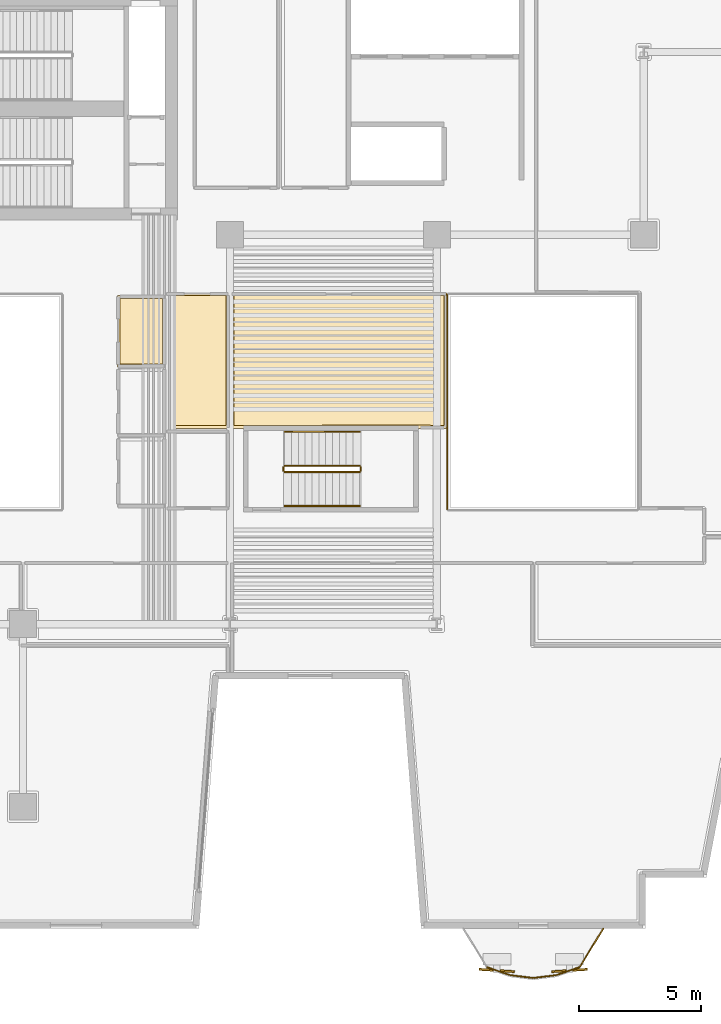
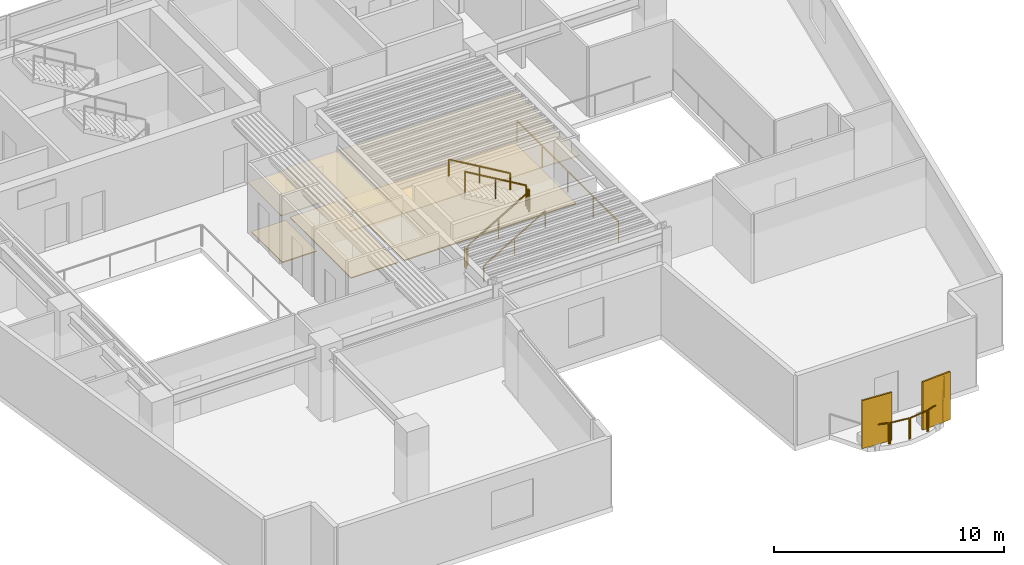
# One storey, part 10 of 12: 12 railings, 6 coverings, 2 shading devices.
"""IFC4 building model written with IfcOpenShell, lengths in metres."""

from ifc_helpers import new_model, si_unit, direction, frame, origin, origin_2d, place, context, subcontext, project, spatial, polyline, rectangle, outline, extrude, material, layer, layer_set, type_object, element, save


model = new_model("IFC4")

# Units and contexts
model_context = context("Model", 3, precision=1e-05, world=origin(), true_north=direction((0.0, 1.0)))
body_context = subcontext(model_context, "Body", "Model", "MODEL_VIEW")
ifc_project = project(units=[si_unit("LENGTHUNIT", "METRE"), si_unit("AREAUNIT", "SQUARE_METRE"), si_unit("VOLUMEUNIT", "CUBIC_METRE"), si_unit("PLANEANGLEUNIT", "RADIAN"), si_unit("MASSUNIT", "GRAM", prefix="KILO")], contexts=[model_context])

# Site, building, storey
site_placement = place(None, origin())
site = spatial("IfcSite", under=ifc_project, at=site_placement, CompositionType="ELEMENT")
building_placement = place(site_placement, origin())
building = spatial("IfcBuilding", under=site, at=building_placement, Name="Caeloran Harvest Quay", CompositionType="ELEMENT")
storey_placement = place(building_placement, frame((0.0, 0.0, 115.35009765625)))
storey = spatial("IfcBuildingStorey", under=building, at=storey_placement, Name="L26", CompositionType="ELEMENT", Elevation=115.35009765625)

# Coverings
ifc_material_1 = material(Name="Perforated Mineral-Fibre Acoustic Ceiling Tile", Category="ceiling")
ifc_layer_1 = layer(ifc_material_1, 0.0400390625, Name="Perforated Mineral-Fibre Acoustic Ceiling Tile")
ifc_layer_set_1 = layer_set([ifc_layer_1], Name="Perforated Mineral-Fibre Acoustic Ceiling Tile")
covering_type_1 = type_object("IfcCoveringType", Name="COV-CEILING-ACOUSTIC", PredefinedType="CEILING", material=ifc_layer_set_1)
covering_1_placement = place(storey_placement, frame((0.0, 0.0, 2.599853515625)))
element("IfcCovering", 1, at=covering_1_placement, inside=storey, type_object=covering_type_1, Name="L26 Male Washroom WC Acoustic Ceiling", PredefinedType="CEILING", context=body_context, shape_type="SweptSolid", body=[
    extrude(outline(polyline([(22.840087890625, 25.56005859375), (20.8701171875, 25.56005859375), (20.8701171875, 28.489990234375), (22.840087890625, 28.489990234375), (22.840087890625, 25.56005859375)])), origin(), (0.0, 0.0, 1.0), 0.0400390625),
])
covering_2_placement = place(storey_placement, frame((0.0, 0.0, 2.599853515625)))
element("IfcCovering", 2, at=covering_2_placement, inside=storey, type_object=covering_type_1, Name="Instrument Calibration Laboratory Acoustic Ceiling", PredefinedType="CEILING", context=body_context, shape_type="SweptSolid", body=[
    extrude(outline(polyline([(22.8701171875, 28.512939453125), (22.85009765625, 28.52001953125), (22.85009765625, 28.610107421875), (25.4599609375, 28.610107421875), (25.4599609375, 23.0400390625), (22.8701171875, 23.0400390625), (22.8701171875, 28.512939453125)])), origin(), (0.0, 0.0, 1.0), 0.0400390625),
])
covering_3_placement = place(storey_placement, frame((0.0, 0.0, 2.599853515625)))
element("IfcCovering", 3, at=covering_3_placement, inside=storey, type_object=covering_type_1, Name="Agri-Robotics Open Research Workspace 8 Acoustic Ceiling", PredefinedType="CEILING", context=body_context, shape_type="SweptSolid", body=[
    extrude(outline(polyline([(26.13720703125, 23.06005859375), (26.1298828125, 23.0400390625), (25.5400390625, 23.0400390625), (25.5400390625, 28.610107421875), (34.409912109375, 28.610107421875), (34.409912109375, 23.0400390625), (33.170166015625, 23.0400390625), (33.162841796875, 23.06005859375), (26.13720703125, 23.06005859375)])), origin(), (0.0, 0.0, 1.0), 0.0400390625),
])
ifc_material_2 = material(Name="Calcium-Sulphate Raised Access Floor and Terrazzo Finish", Category="flooring")
ifc_layer_2 = layer(ifc_material_2, 0.050048828125, Name="Calcium-Sulphate Raised Access Floor and Terrazzo Finish")
ifc_layer_set_2 = layer_set([ifc_layer_2], Name="Calcium-Sulphate Raised Access Floor and Terrazzo Finish")
covering_type_2 = type_object("IfcCoveringType", Name="COV-FLOOR-RAISED", PredefinedType="FLOORING", material=ifc_layer_set_2)
covering_4_placement = place(storey_placement, origin())
element("IfcCovering", 4, at=covering_4_placement, inside=storey, type_object=covering_type_2, Name="L26 Male Washroom WC Raised Finish Flooring", PredefinedType="FLOORING", context=body_context, shape_type="SweptSolid", body=[
    extrude(outline(polyline([(22.719970703125, 25.679931640625), (20.989990234375, 25.679931640625), (20.989990234375, 28.3701171875), (22.719970703125, 28.3701171875), (22.719970703125, 25.679931640625)])), origin(), (0.0, 0.0, 1.0), 0.0498046875),
])
covering_5_placement = place(storey_placement, origin())
element("IfcCovering", 5, at=covering_5_placement, inside=storey, type_object=covering_type_2, Name="Instrument Calibration Laboratory Raised Finish Flooring", PredefinedType="FLOORING", context=body_context, shape_type="SweptSolid", body=[
    extrude(outline(polyline([(22.989990234375, 28.489990234375), (25.340087890625, 28.489990234375), (25.340087890625, 23.159912109375), (22.989990234375, 23.159912109375), (22.989990234375, 28.489990234375)])), origin(), (0.0, 0.0, 1.0), 0.0498046875),
])
covering_6_placement = place(storey_placement, origin())
element("IfcCovering", 6, at=covering_6_placement, inside=storey, type_object=covering_type_2, Name="Agri-Robotics Open Research Workspace 8 Raised Finish Flooring", PredefinedType="FLOORING", context=body_context, shape_type="SweptSolid", body=[
    extrude(outline(polyline([(33.169921875, 23.179931640625), (25.659912109375, 23.159912109375), (25.659912109375, 28.489990234375), (34.2900390625, 28.489990234375), (34.2900390625, 23.159912109375), (33.169921875, 23.179931640625)])), origin(), (0.0, 0.0, 1.0), 0.0498046875),
])

# Railings
ifc_material_3 = material(Name="Powder-Coated Steel Post and Laminated Glass Guardrail", Category="steel")
ifc_layer_3 = layer(ifc_material_3, 0.06005859375, Name="Powder-Coated Steel Post and Laminated Glass Guardrail")
ifc_layer_set_3 = layer_set([ifc_layer_3], Name="Powder-Coated Steel Post and Laminated Glass Guardrail")
railing_type_1 = type_object("IfcRailingType", Name="GUARD-ATRIUM-1150", PredefinedType="GUARDRAIL", material=ifc_layer_set_3)
railing_1_placement = place(storey_placement, frame((34.429931640625, 28.5380859375, 0.0)))
element("IfcRailing", 7, at=railing_1_placement, inside=storey, type_object=railing_type_1, Name="L26 East Botanical Lightwell Guardrail Seg 4", PredefinedType="GUARDRAIL", context=body_context, shape_type="SweptSolid", body=[
    extrude(rectangle(XDim=0.048095703125, YDim=0.048095703125, at=origin_2d()), frame((0.0, 0.0, 1.1259765625), z_axis=(0.0, -1.0, 0.0), x_axis=(1.0, 0.0, 0.0)), (0.0, 0.0, 1.0), 8.826171875),
    extrude(rectangle(XDim=0.0419921875, YDim=0.0419921875, at=origin_2d()), origin(), (0.0, 0.0, 1.0), 1.101806640625),
    extrude(rectangle(XDim=0.0419921875, YDim=0.0419921875, at=origin_2d()), frame((0.0, -2.20654296875, 0.0)), (0.0, 0.0, 1.0), 1.101806640625),
    extrude(rectangle(XDim=0.0419921875, YDim=0.0419921875, at=origin_2d()), frame((0.0, -4.4130859375, 0.0)), (0.0, 0.0, 1.0), 1.101806640625),
    extrude(rectangle(XDim=0.0419921875, YDim=0.0419921875, at=origin_2d()), frame((0.0, -6.61962890625, 0.0)), (0.0, 0.0, 1.0), 1.101806640625),
    extrude(rectangle(XDim=0.0419921875, YDim=0.0419921875, at=origin_2d()), frame((0.0, -8.826171875, 0.0)), (0.0, 0.0, 1.0), 1.101806640625),
])
ifc_material_4 = material(Name="Laminated Safety Glass and Stainless Steel 316", Category="steel")
ifc_layer_4 = layer(ifc_material_4, 0.06005859375, Name="Laminated Safety Glass and Stainless Steel 316")
ifc_layer_set_4 = layer_set([ifc_layer_4], Name="Laminated Safety Glass and Stainless Steel 316")
railing_type_2 = type_object("IfcRailingType", Name="GUARD-BALUSTRADE-1150", PredefinedType="BALUSTRADE", material=ifc_layer_set_4)
railing_2_placement = place(storey_placement, frame((40.825927734375, 2.47998046875, 0.0)))
element("IfcRailing", 8, at=railing_2_placement, inside=storey, type_object=railing_type_2, Name="L26 Planted Balcony Perimeter Balustrade Guard Seg 1", PredefinedType="BALUSTRADE", context=body_context, shape_type="SweptSolid", body=[
    extrude(rectangle(XDim=0.048095703125, YDim=0.048095703125, at=origin_2d()), frame((0.0, 0.0, 1.1259765625), z_axis=(-0.520109879595, -0.85409935789, 0.0), x_axis=(0.85409935789, -0.520109879595, 0.0)), (0.0, 0.0, 1.0), 1.80615234375),
    extrude(rectangle(XDim=0.0419921875, YDim=0.0419921875, at=origin_2d()), origin(), (0.0, 0.0, 1.0), 1.101806640625),
    extrude(rectangle(XDim=0.0419921875, YDim=0.0419921875, at=origin_2d()), frame((-0.939453125, -1.542724609375, 0.0)), (0.0, 0.0, 1.0), 1.101806640625),
])
railing_3_placement = place(storey_placement, frame((39.839599609375, 0.899658203125, 0.0)))
element("IfcRailing", 9, at=railing_3_placement, inside=storey, type_object=railing_type_2, Name="L26 Planted Balcony Perimeter Balustrade Guard Seg 2", PredefinedType="BALUSTRADE", context=body_context, shape_type="SweptSolid", body=[
    extrude(rectangle(XDim=0.048095703125, YDim=0.048095703125, at=origin_2d()), frame((0.0, 0.0, 1.1259765625), z_axis=(-0.945438701793, -0.325800032461, 0.0), x_axis=(0.325800032461, -0.945438701793, 0.0)), (0.0, 0.0, 1.0), 0.947265625),
    extrude(rectangle(XDim=0.0419921875, YDim=0.0419921875, at=origin_2d()), origin(), (0.0, 0.0, 1.0), 1.101806640625),
    extrude(rectangle(XDim=0.0419921875, YDim=0.0419921875, at=origin_2d()), frame((-0.8955078125, -0.30859375, 0.0)), (0.0, 0.0, 1.0), 1.101806640625),
])
railing_4_placement = place(storey_placement, frame((38.882080078125, 0.57666015625, 0.0)))
element("IfcRailing", 10, at=railing_4_placement, inside=storey, type_object=railing_type_2, Name="L26 Planted Balcony Perimeter Balustrade Guard Seg 3", PredefinedType="BALUSTRADE", context=body_context, shape_type="SweptSolid", body=[
    extrude(rectangle(XDim=0.048095703125, YDim=0.048095703125, at=origin_2d()), frame((0.0, 0.0, 1.1259765625), z_axis=(-0.992147947077, -0.125069784961, 0.0), x_axis=(0.125069784961, -0.992147947077, 0.0)), (0.0, 0.0, 1.0), 0.89990234375),
    extrude(rectangle(XDim=0.0419921875, YDim=0.0419921875, at=origin_2d()), origin(), (0.0, 0.0, 1.0), 1.101806640625),
    extrude(rectangle(XDim=0.0419921875, YDim=0.0419921875, at=origin_2d()), frame((-0.892822265625, -0.112548828125, 0.0)), (0.0, 0.0, 1.0), 1.101806640625),
])
railing_5_placement = place(storey_placement, frame((37.92578125, 0.464111328125, 0.0)))
element("IfcRailing", 11, at=railing_5_placement, inside=storey, type_object=railing_type_2, Name="L26 Planted Balcony Perimeter Balustrade Guard Seg 4", PredefinedType="BALUSTRADE", context=body_context, shape_type="SweptSolid", body=[
    extrude(rectangle(XDim=0.048095703125, YDim=0.048095703125, at=origin_2d()), frame((0.0, 0.0, 1.1259765625), z_axis=(-0.992147947077, 0.125069784961, 0.0), x_axis=(-0.125069784961, -0.992147947077, 0.0)), (0.0, 0.0, 1.0), 0.89990234375),
    extrude(rectangle(XDim=0.0419921875, YDim=0.0419921875, at=origin_2d()), origin(), (0.0, 0.0, 1.0), 1.101806640625),
    extrude(rectangle(XDim=0.0419921875, YDim=0.0419921875, at=origin_2d()), frame((-0.892822265625, 0.112548828125, 0.0)), (0.0, 0.0, 1.0), 1.101806640625),
])
railing_6_placement = place(storey_placement, frame((36.970947265625, 0.591064453125, 0.0)))
element("IfcRailing", 12, at=railing_6_placement, inside=storey, type_object=railing_type_2, Name="L26 Planted Balcony Perimeter Balustrade Guard Seg 5", PredefinedType="BALUSTRADE", context=body_context, shape_type="SweptSolid", body=[
    extrude(rectangle(XDim=0.048095703125, YDim=0.048095703125, at=origin_2d()), frame((0.0, 0.0, 1.1259765625), z_axis=(-0.945438701793, 0.325800032461, 0.0), x_axis=(-0.325800032461, -0.945438701793, 0.0)), (0.0, 0.0, 1.0), 0.947265625),
    extrude(rectangle(XDim=0.0419921875, YDim=0.0419921875, at=origin_2d()), origin(), (0.0, 0.0, 1.0), 1.101806640625),
    extrude(rectangle(XDim=0.0419921875, YDim=0.0419921875, at=origin_2d()), frame((-0.8955078125, 0.30859375, 0.0)), (0.0, 0.0, 1.0), 1.101806640625),
])

# Shading devices
ifc_material_5 = material(Name="3003-H14 Perforated Powder-Coated Aluminium", Category="aluminium")
shading_device_type = type_object("IfcShadingDeviceType", Name="SHADE-SCREEN-FOLDED", PredefinedType="USERDEFINED", material=ifc_material_5)
for number, where, z_axis, x_axis, name in (
    (13, (39.44921875, 0.77001953125, 0.07470703125), (0.0, 0.0, 1.0), (0.997801468292, 0.0662739004, 0.0), "L26 Folded Facade Breathing Screen 1"),
    (14, (36.4658203125, 0.77001953125, 0.07470703125), (0.0, 0.0, 1.0), (0.997801468292, -0.0662739004, 0.0), "L26 Folded Facade Breathing Screen 2"),
):
    element("IfcShadingDevice", number, at=place(storey_placement, frame(where, z_axis=z_axis, x_axis=x_axis)), inside=storey, type_object=shading_device_type, Name=name, ObjectType="SCREEN", PredefinedType="USERDEFINED", context=body_context, shape_type="SweptSolid", body=[
        extrude(rectangle(XDim=1.449951171875, YDim=0.080078125, at=origin_2d()), origin(), (0.0, 0.0, 1.0), 2.550048828125),
    ])

# Railings
ifc_material_6 = material(Name="Painted Steel Baluster and Top-Rail Stair Guard", Category="steel")
ifc_layer_5 = layer(ifc_material_6, 0.050048828125, Name="Painted Steel Baluster and Top-Rail Stair Guard")
ifc_layer_set_5 = layer_set([ifc_layer_5], Name="Painted Steel Baluster and Top-Rail Stair Guard")
railing_type_3 = type_object("IfcRailingType", Name="STAIR-GUARD-1100", PredefinedType="GUARDRAIL", material=ifc_layer_set_5)
railing_7_placement = place(storey_placement, frame((27.75, 21.25, 0.16455078125)))
element("IfcRailing", 15, at=railing_7_placement, inside=storey, type_object=railing_type_3, Name="L26 ST-W1 stair guard 1", PredefinedType="GUARDRAIL", context=body_context, shape_type="SweptSolid", body=[
    extrude(rectangle(XDim=0.048095703125, YDim=0.048095703125, at=origin_2d()), frame((0.0, 0.0, 1.076171875), z_axis=(0.862118610829, 0.0, 0.506706523406), x_axis=(0.0, 1.0, 0.0)), (0.0, 0.0, 1.0), 3.57275390625),
    extrude(rectangle(XDim=0.0419921875, YDim=0.0419921875, at=origin_2d()), origin(), (0.0, 0.0, 1.0), 1.052001953125),
    extrude(rectangle(XDim=0.0419921875, YDim=0.0419921875, at=origin_2d()), frame((1.5400390625, 0.0, 0.9052734375)), (0.0, 0.0, 1.0), 1.052001953125),
    extrude(rectangle(XDim=0.0419921875, YDim=0.0419921875, at=origin_2d()), frame((3.080078125, 0.0, 1.810302734375)), (0.0, 0.0, 1.0), 1.052001953125),
])
railing_8_placement = place(storey_placement, frame((30.8798828125, 21.300048828125, 1.974853515625)))
element("IfcRailing", 16, at=railing_8_placement, inside=storey, type_object=railing_type_3, Name="L26 ST-W1 stair guard 2", PredefinedType="GUARDRAIL", context=body_context, shape_type="SweptSolid", body=[
    extrude(rectangle(XDim=0.048095703125, YDim=0.048095703125, at=origin_2d()), frame((0.0, 0.0, 1.076171875), z_axis=(0.0, 1.0, 0.0), x_axis=(-1.0, 0.0, 0.0)), (0.0, 0.0, 1.0), 0.14990234375),
    extrude(rectangle(XDim=0.0419921875, YDim=0.0419921875, at=origin_2d()), origin(), (0.0, 0.0, 1.0), 1.052001953125),
    extrude(rectangle(XDim=0.0419921875, YDim=0.0419921875, at=origin_2d()), frame((0.0, 0.14990234375, 0.0)), (0.0, 0.0, 1.0), 1.052001953125),
])
railing_9_placement = place(storey_placement, frame((30.830078125, 21.5, 2.139404296875)))
element("IfcRailing", 17, at=railing_9_placement, inside=storey, type_object=railing_type_3, Name="L26 ST-W1 stair guard 3", PredefinedType="GUARDRAIL", context=body_context, shape_type="SweptSolid", body=[
    extrude(rectangle(XDim=0.048095703125, YDim=0.048095703125, at=origin_2d()), frame((0.0, 0.0, 1.076171875), z_axis=(-0.862088758681, 0.0, 0.506757310905), x_axis=(0.0, -1.0, 0.0)), (0.0, 0.0, 1.0), 3.57275390625),
    extrude(rectangle(XDim=0.0419921875, YDim=0.0419921875, at=origin_2d()), origin(), (0.0, 0.0, 1.0), 1.052001953125),
    extrude(rectangle(XDim=0.0419921875, YDim=0.0419921875, at=origin_2d()), frame((-1.5400390625, 0.0, 0.9052734375)), (0.0, 0.0, 1.0), 1.052001953125),
    extrude(rectangle(XDim=0.0419921875, YDim=0.0419921875, at=origin_2d()), frame((-3.080078125, 0.0, 1.810546875)), (0.0, 0.0, 1.0), 1.052001953125),
])
railing_10_placement = place(storey_placement, frame((27.699951171875, 21.300048828125, 0.0)))
element("IfcRailing", 18, at=railing_10_placement, inside=storey, type_object=railing_type_3, Name="L26 ST-W1 stair guard 4", PredefinedType="GUARDRAIL", context=body_context, shape_type="SweptSolid", body=[
    extrude(rectangle(XDim=0.048095703125, YDim=0.048095703125, at=origin_2d()), frame((0.0, 0.0, 1.076171875), z_axis=(0.0, 1.0, 0.0), x_axis=(-1.0, 0.0, 0.0)), (0.0, 0.0, 1.0), 0.14990234375),
    extrude(rectangle(XDim=0.0419921875, YDim=0.0419921875, at=origin_2d()), origin(), (0.0, 0.0, 1.0), 1.052001953125),
    extrude(rectangle(XDim=0.0419921875, YDim=0.0419921875, at=origin_2d()), frame((0.0, 0.14990234375, 0.0)), (0.0, 0.0, 1.0), 1.052001953125),
])
ifc_material_7 = material(Name="Brushed Stainless Steel Grade 304", Category="steel")
ifc_layer_6 = layer(ifc_material_7, 0.050048828125, Name="Brushed Stainless Steel Grade 304")
ifc_layer_set_6 = layer_set([ifc_layer_6], Name="Brushed Stainless Steel Grade 304")
railing_type_4 = type_object("IfcRailingType", Name="STAIR-HANDRAIL-900", PredefinedType="HANDRAIL", material=ifc_layer_set_6)
railing_11_placement = place(storey_placement, frame((27.75, 19.85009765625, 0.16455078125)))
element("IfcRailing", 19, at=railing_11_placement, inside=storey, type_object=railing_type_4, Name="L26 ST-W1 stair handrail 1", PredefinedType="HANDRAIL", context=body_context, shape_type="SweptSolid", body=[
    extrude(rectangle(XDim=0.048095703125, YDim=0.048095703125, at=origin_2d()), frame((0.0, 0.0, 0.8759765625), z_axis=(0.862118610829, 0.0, 0.506706523406), x_axis=(0.0, 1.0, 0.0)), (0.0, 0.0, 1.0), 3.57275390625),
    extrude(rectangle(XDim=0.0419921875, YDim=0.0419921875, at=origin_2d()), origin(), (0.0, 0.0, 1.0), 0.851806640625),
    extrude(rectangle(XDim=0.0419921875, YDim=0.0419921875, at=origin_2d()), frame((1.5400390625, 0.0, 0.9052734375)), (0.0, 0.0, 1.0), 0.851806640625),
    extrude(rectangle(XDim=0.0419921875, YDim=0.0419921875, at=origin_2d()), frame((3.080078125, 0.0, 1.810302734375)), (0.0, 0.0, 1.0), 0.851806640625),
])
railing_12_placement = place(storey_placement, frame((30.830078125, 22.89990234375, 2.139404296875)))
element("IfcRailing", 20, at=railing_12_placement, inside=storey, type_object=railing_type_4, Name="L26 ST-W1 stair handrail 2", PredefinedType="HANDRAIL", context=body_context, shape_type="SweptSolid", body=[
    extrude(rectangle(XDim=0.048095703125, YDim=0.048095703125, at=origin_2d()), frame((0.0, 0.0, 0.8759765625), z_axis=(-0.862088758681, 0.0, 0.506757310905), x_axis=(0.0, -1.0, 0.0)), (0.0, 0.0, 1.0), 3.57275390625),
    extrude(rectangle(XDim=0.0419921875, YDim=0.0419921875, at=origin_2d()), origin(), (0.0, 0.0, 1.0), 0.851806640625),
    extrude(rectangle(XDim=0.0419921875, YDim=0.0419921875, at=origin_2d()), frame((-1.5400390625, 0.0, 0.9052734375)), (0.0, 0.0, 1.0), 0.851806640625),
    extrude(rectangle(XDim=0.0419921875, YDim=0.0419921875, at=origin_2d()), frame((-3.080078125, 0.0, 1.810546875)), (0.0, 0.0, 1.0), 0.851806640625),
])

save(model, "model.ifc")
